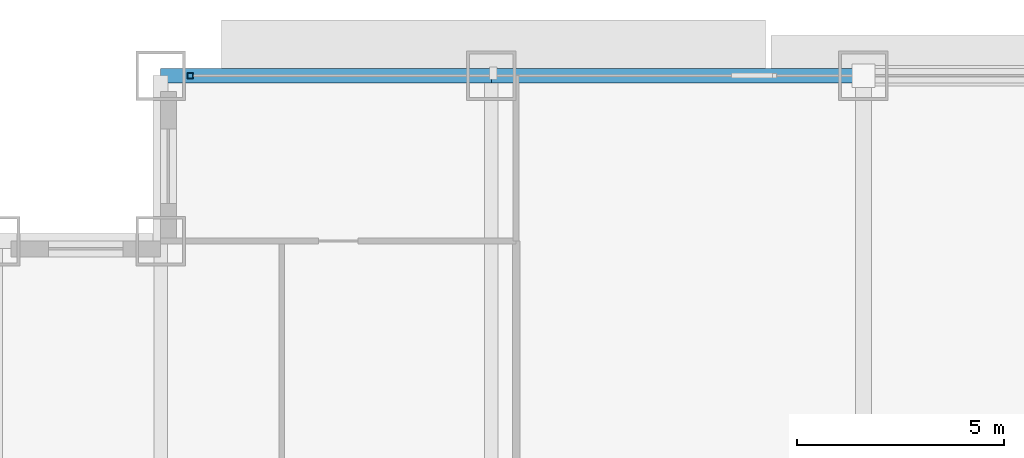
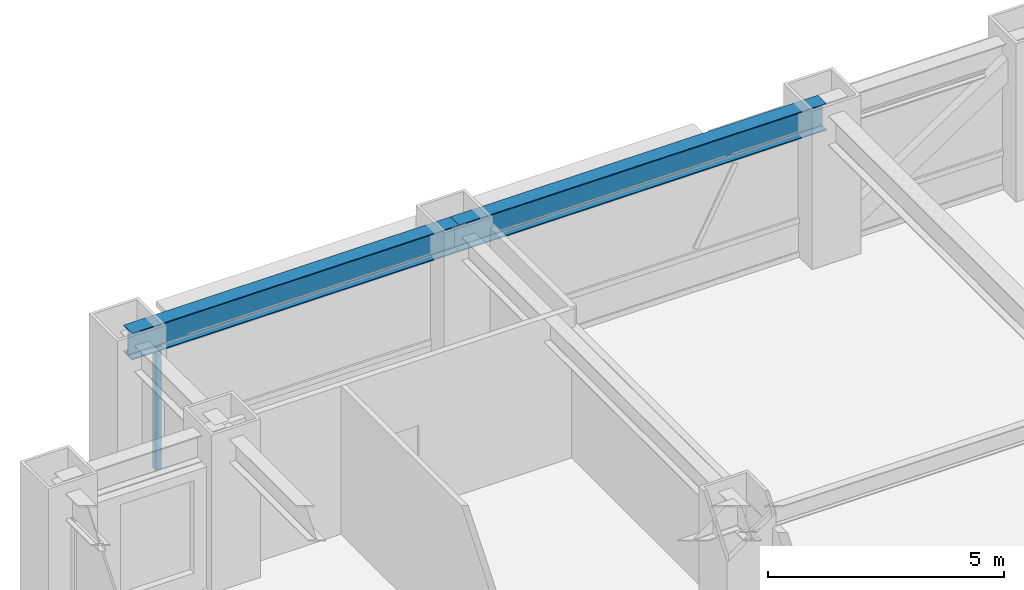
# One storey, part 17 of 32: 2 beams, 1 member, 1 element without a shape of its own.
"""IFC4 building model written with IfcOpenShell, lengths in metres."""

from ifc_helpers import new_model, si_unit, direction, frame, origin, origin_2d, place, context, subcontext, project, spatial, hollow_rectangle, i_section, extrude, source, transform, mapped, material, material_profile, profile_set, type_object, element, aggregate, save


model = new_model("IFC4")

# Units and contexts
model_context = context("Model", 3, precision=1e-05, world=origin(), true_north=direction((0.0, 1.0)))
body_context = subcontext(model_context, "Body", "Model", "MODEL_VIEW")
ifc_project = project(units=[si_unit("LENGTHUNIT", "METRE"), si_unit("AREAUNIT", "SQUARE_METRE"), si_unit("VOLUMEUNIT", "CUBIC_METRE"), si_unit("PLANEANGLEUNIT", "RADIAN"), si_unit("MASSUNIT", "GRAM", prefix="KILO")], contexts=[model_context])

# Site, building, storey
site_placement = place(None, origin())
site = spatial("IfcSite", under=ifc_project, at=site_placement, CompositionType="ELEMENT")
building_placement = place(site_placement, origin())
building = spatial("IfcBuilding", under=site, at=building_placement, Name="Khorayat Bourse Tower", CompositionType="ELEMENT")
storey_placement = place(building_placement, frame((0.0, 0.0, 132.39990234375)))
storey = spatial("IfcBuildingStorey", under=building, at=storey_placement, Name="L30", CompositionType="ELEMENT", Elevation=132.39990234375)

# Beams
ifc_material_1 = material(Name="Steel ASTM A992 Grade 50", Category="steel")
ifc_material_profile_1 = material_profile(ifc_material_1, i_section(OverallWidth=0.35498046875, OverallDepth=0.695068359375, WebThickness=0.015380859375, FlangeThickness=0.02490234375, FilletRadius=0.01806640625, at=origin_2d()), Name="W690X217")
ifc_profile_set_1 = profile_set([ifc_material_profile_1], Name="Steel ASTM A992 Grade 50")
beam_type = type_object("IfcBeamType", Name="BM-SPAN-690", PredefinedType="SPANDREL", material=ifc_profile_set_1)
shared_shape_1 = source(origin(), body_context, "Body", "SweptSolid", [
    extrude(i_section(OverallWidth=0.35498046875, OverallDepth=0.695068359375, WebThickness=0.015380859375, FlangeThickness=0.02490234375, FilletRadius=0.01806640625, at=origin_2d()), origin(), (0.0, 0.0, 1.0), 9.0),
])
beam_1_placement = place(storey_placement, frame((-20.0, 32.0, 3.49267578125), z_axis=(1.0, 0.0, 0.0), x_axis=(0.0, 1.0, 0.0)))
element("IfcBeam", 1, at=beam_1_placement, inside=storey, type_object=beam_type, Name="L30 BM-SPAN-690 BM-L30-SPN-050", PredefinedType="SPANDREL", context=body_context, shape_type="MappedRepresentation", body=[
    mapped(shared_shape_1, transform((0.0, 0.0, 0.0), scale=1.0)),
])
shared_shape_2 = source(origin(), body_context, "Body", "SweptSolid", [
    extrude(i_section(OverallWidth=0.35498046875, OverallDepth=0.695068359375, WebThickness=0.015380859375, FlangeThickness=0.02490234375, FilletRadius=0.01806640625, at=origin_2d()), origin(), (0.0, 0.0, 1.0), 8.0),
])
beam_2_placement = place(storey_placement, frame((-28.0, 32.0, 3.49267578125), z_axis=(1.0, 0.0, 0.0), x_axis=(0.0, 1.0, 0.0)))
element("IfcBeam", 2, at=beam_2_placement, inside=storey, type_object=beam_type, Name="L30 BM-SPAN-690 BM-L30-SPN-051", PredefinedType="SPANDREL", context=body_context, shape_type="MappedRepresentation", body=[
    mapped(shared_shape_2, transform((0.0, 0.0, 0.0), scale=1.0)),
])

# Curtain wall, member
ifc_material_2 = material(Name="Aluminium EN AW-6063 T6", Category="aluminium")
curtain_wall_type = type_object("IfcCurtainWallType", Name="CW-SYS-02", PredefinedType="NOTDEFINED", material=ifc_material_2)
curtain_wall_placement = place(storey_placement, origin())
curtain_wall = element("IfcCurtainWall", 3, at=curtain_wall_placement, inside=storey, type_object=curtain_wall_type, Name="L30 Curtain Wall CW-L30-N1", PredefinedType="NOTDEFINED")
ifc_material_profile_2 = material_profile(ifc_material_2, hollow_rectangle(XDim=0.139892578125, YDim=0.139892578125, WallThickness=0.006103515625, at=origin_2d()), Name="ALU 140x140x6")
ifc_profile_set_2 = profile_set([ifc_material_profile_2], Name="Aluminium EN AW-6063 T6")
member_type = type_object("IfcMemberType", Name="CWM-VERT-140", PredefinedType="MULLION", material=ifc_profile_set_2)
shared_shape_3 = source(origin(), body_context, "Body", "SweptSolid", [
    extrude(hollow_rectangle(XDim=0.139892578125, YDim=0.139892578125, WallThickness=0.006103515625, at=origin_2d()), origin(), (0.0, 0.0, 1.0), 3.190185546875),
])
member_placement = place(storey_placement, frame((-27.280029296875, 32.0, 0.0), z_axis=(0.0, 0.0, 1.0), x_axis=(0.0, 1.0, 0.0)))
member = element("IfcMember", 4, at=member_placement, type_object=member_type, Name="CW-L30-N1 Vertical Mullion 1", PredefinedType="MULLION", context=body_context, shape_type="MappedRepresentation", body=[
    mapped(shared_shape_3, transform((0.0, 0.0, 0.0), scale=1.0)),
])
aggregate(curtain_wall, [member])

save(model, "model.ifc")
